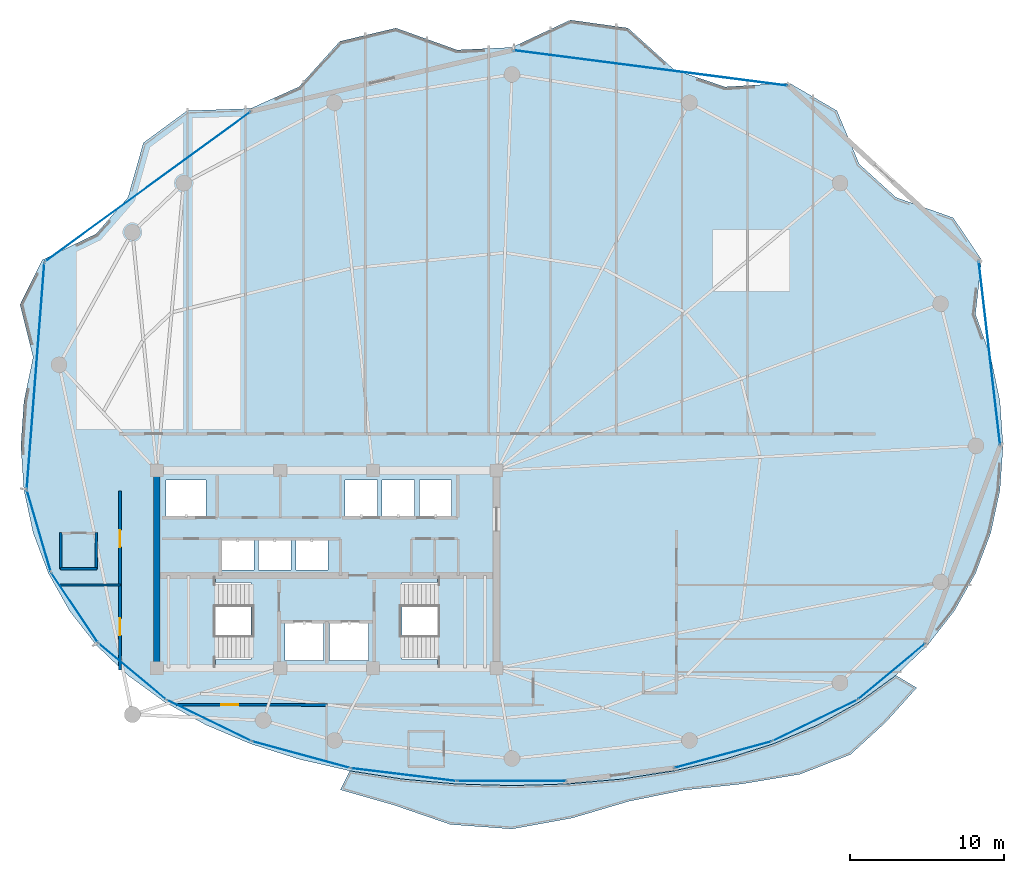
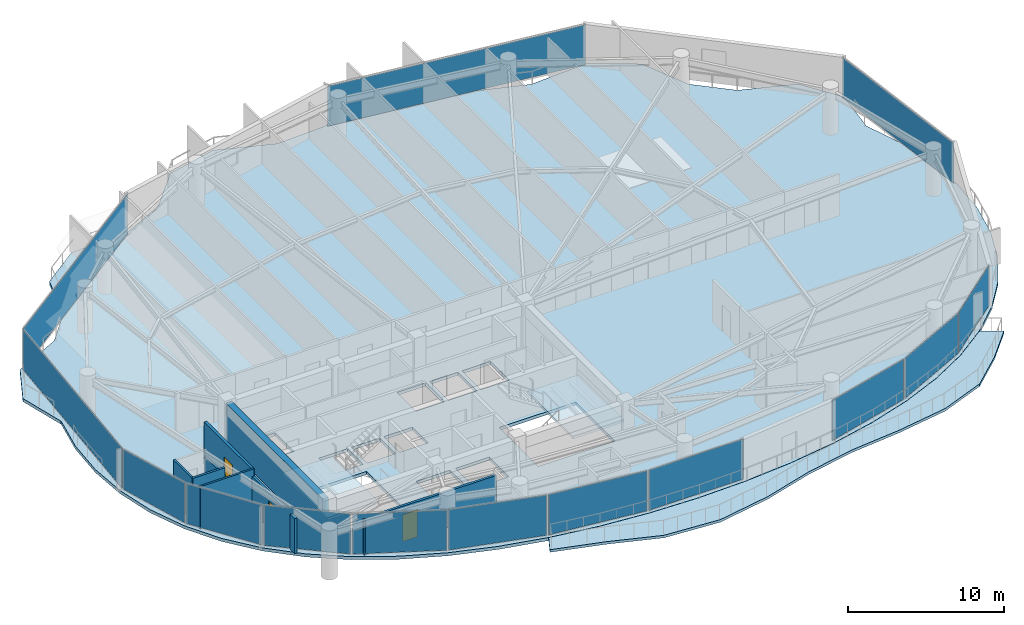
# One storey, part 24 of 31: 14 plates, 8 walls, 4 slabs, 3 doors, 3 openings, 16 elements without a shape of their own.
"""IFC4 building model written with IfcOpenShell, lengths in metres."""

import ifcopenshell
import ifcopenshell.guid

model = None  # the IFC model being written
_history = None  # IfcOwnerHistory: only IFC2X3 demands one
_inside = {}  # id of a spatial element -> (the spatial element, [elements in it])
_under = {}  # id of a project, library or spatial element -> (it, [spatial elements below it])
_declared = {}  # id of a project -> (the project, [libraries it declares])
_typed = {}  # id of a type object -> (the type object, [elements of that type])
_made_of = {}  # id of a material, layer set ... -> (it, [elements and type objects made of it])


def new_model(schema):
    """Start an empty IFC model of exactly this schema.

    Asked for "IFC4X3", IfcOpenShell would pick the latest addendum, in which some entities
    have other attributes; the version numbers below select the first issue.
    IFC2X3 requires an IfcOwnerHistory on every rooted entity: one is made here for all.
    """
    global model, _history
    if schema == "IFC4X3":
        model = ifcopenshell.file(schema_version=(4, 3, 0, 0))
    else:
        model = ifcopenshell.file(schema=schema)
    _inside.clear()
    _under.clear()
    _declared.clear()
    _typed.clear()
    _made_of.clear()
    _history = None
    if model.schema == "IFC2X3":
        org = make("IfcOrganization", Name="unknown")
        user = make(
            "IfcPersonAndOrganization",
            ThePerson=make("IfcPerson", FamilyName="unknown"),
            TheOrganization=org,
        )
        app = make(
            "IfcApplication",
            ApplicationDeveloper=org,
            Version="unknown",
            ApplicationFullName="unknown",
            ApplicationIdentifier="unknown",
        )
        _history = make(
            "IfcOwnerHistory",
            OwningUser=user,
            OwningApplication=app,
            ChangeAction="ADDED",
            CreationDate=0,
        )
    return model


def make(cls, **values):
    """One entity of the class cls with the attributes given. An attribute that is None is left unset."""
    return model.create_entity(
        cls, **{name: value for name, value in values.items() if value is not None}
    )


def rooted(cls, **values):
    """An entity with a GlobalId (a new one), such as an element, a storey or a relation."""
    return make(cls, GlobalId=ifcopenshell.guid.new(), OwnerHistory=_history, **values)


def si_unit(unit_type, name, prefix=None):
    """IfcSIUnit, for example si_unit("LENGTHUNIT", "METRE", prefix="MILLI")."""
    return make("IfcSIUnit", UnitType=unit_type, Prefix=prefix, Name=name)


def assignment(units):
    """IfcUnitAssignment: the units of a project."""
    return None if units is None else make("IfcUnitAssignment", Units=units)


def point(xyz):
    """IfcCartesianPoint."""
    return None if xyz is None else make("IfcCartesianPoint", Coordinates=xyz)


def direction(xyz):
    """IfcDirection."""
    return None if xyz is None else make("IfcDirection", DirectionRatios=xyz)


def frame(location, z_axis=None, x_axis=None):
    """IfcAxis2Placement3D, a coordinate frame: its origin and axes. An axis left out is left unset."""
    return make(
        "IfcAxis2Placement3D",
        Location=point(location),
        Axis=direction(z_axis),
        RefDirection=direction(x_axis),
    )


def frame_2d(location, x_axis=None):
    """IfcAxis2Placement2D, a coordinate frame in the plane: its origin and x axis."""
    return make(
        "IfcAxis2Placement2D", Location=point(location), RefDirection=direction(x_axis)
    )


def origin():
    """The frame at (0, 0, 0) with its axes left unset."""
    return frame((0.0, 0.0, 0.0))


def origin_2d():
    """The frame at (0, 0) in the plane with its x axis left unset."""
    return frame_2d((0.0, 0.0))


def place(relative_to, where):
    """IfcLocalPlacement: puts the frame where relative to a parent placement (None: the world)."""
    return make(
        "IfcLocalPlacement", PlacementRelTo=relative_to, RelativePlacement=where
    )


def context(
    kind, dimensions, precision=None, world=None, true_north=None, identifier=None
):
    """IfcGeometricRepresentationContext, for example the 3D "Model" context."""
    return make(
        "IfcGeometricRepresentationContext",
        ContextIdentifier=identifier,
        ContextType=kind,
        CoordinateSpaceDimension=dimensions,
        Precision=precision,
        WorldCoordinateSystem=world,
        TrueNorth=true_north,
    )


def subcontext(parent, identifier, kind, view, scale=None):
    """IfcGeometricRepresentationSubContext, for example "Body" below "Model"."""
    return make(
        "IfcGeometricRepresentationSubContext",
        ContextIdentifier=identifier,
        ContextType=kind,
        ParentContext=parent,
        TargetScale=scale,
        TargetView=view,
    )


def project(units=None, contexts=None):
    """IfcProject with its units and contexts."""
    return rooted(
        "IfcProject",
        Name="project",
        RepresentationContexts=contexts,
        UnitsInContext=assignment(units),
    )


def spatial(cls, under=None, at=None, **own):
    """A site, building, storey or space (cls), placed at a placement, below another one or the project."""
    s = rooted(cls, ObjectPlacement=at, **own)
    if under is not None:
        _under.setdefault(under.id(), (under, []))[1].append(s)
    return s


def polyline(points):
    """IfcPolyline through the points."""
    return make("IfcPolyline", Points=[point(p) for p in points])


def profile(cls, at=None, kind="AREA", **sizes):
    """A parametric profile (cls). Its sizes go by their IFC names, for example OverallWidth=200.0."""
    return make(cls, ProfileType=kind, Position=at, **sizes)


def rectangle(**sizes):
    """IfcRectangleProfileDef."""
    return profile("IfcRectangleProfileDef", **sizes)


def outline(outer, holes=None, kind="AREA"):
    """IfcArbitraryClosedProfileDef: a profile drawn as a closed curve; with holes, ...WithVoids."""
    if holes is None:
        return make("IfcArbitraryClosedProfileDef", ProfileType=kind, OuterCurve=outer)
    return make(
        "IfcArbitraryProfileDefWithVoids",
        ProfileType=kind,
        OuterCurve=outer,
        InnerCurves=holes,
    )


def extrude(swept, where, along, depth):
    """IfcExtrudedAreaSolid: the profile swept, set in the frame where, extruded along a direction by depth."""
    return make(
        "IfcExtrudedAreaSolid",
        SweptArea=swept,
        Position=where,
        ExtrudedDirection=direction(along),
        Depth=depth,
    )


def shape(context_of_items, identifier, shape_type, items):
    """IfcShapeRepresentation: the items that make up one representation, for example the "Body"."""
    return make(
        "IfcShapeRepresentation",
        ContextOfItems=context_of_items,
        RepresentationIdentifier=identifier,
        RepresentationType=shape_type,
        Items=items,
    )


def material(Name=None, Category=None):
    """IfcMaterial."""
    return make("IfcMaterial", Name=Name, Category=Category)


def layer(
    of_material, thickness, ventilated=None, Name=None, Category=None, Priority=None
):
    """IfcMaterialLayer: one layer of a wall or slab, of a material (None: an air gap)."""
    return make(
        "IfcMaterialLayer",
        Material=of_material,
        LayerThickness=thickness,
        IsVentilated=ventilated,
        Name=Name,
        Category=Category,
        Priority=Priority,
    )


def layer_set(layers, Name=None):
    """IfcMaterialLayerSet."""
    return make("IfcMaterialLayerSet", MaterialLayers=layers, LayerSetName=Name)


def made_of(thing, what):
    """Note that an element or type object is made of a material, layer set ...; save() writes the relation."""
    if what is not None:
        _made_of.setdefault(what.id(), (what, []))[1].append(thing)
    return thing


def type_object(cls, material=None, **own):
    """A type object (cls), such as IfcWallType, which elements share."""
    return made_of(rooted(cls, **own), material)


def element(
    cls,
    number,
    at=None,
    inside=None,
    cuts=None,
    type_object=None,
    material=None,
    context=None,
    identifier="Body",
    shape_type=None,
    held_by="IfcProductDefinitionShape",
    body=None,
    shapes=None,
    **own,
):
    """One element of the class cls, such as IfcWall. Its Tag is "e" and its number.

    at: its placement. inside: the storey or other place that contains it. cuts: it is an
    opening in that element (IfcRelVoidsElement). A single representation is given by context,
    identifier, shape_type and body (its items); several are given by shapes. held_by: the class
    of the entity that holds the representations. save() writes the other relations.
    """
    e = rooted(cls, Tag="e%d" % number, ObjectPlacement=at, **own)
    if body is not None:
        shapes = [shape(context, identifier, shape_type, body)]
    if shapes is not None:
        e.Representation = make(held_by, Representations=shapes)
    if inside is not None:
        _inside.setdefault(inside.id(), (inside, []))[1].append(e)
    if cuts is not None:
        rooted(
            "IfcRelVoidsElement", RelatingBuildingElement=cuts, RelatedOpeningElement=e
        )
    if type_object is not None:
        _typed.setdefault(type_object.id(), (type_object, []))[1].append(e)
    return made_of(e, material)


def fill(opening, filler):
    """IfcRelFillsElement: the door or window that sits in an opening."""
    return rooted(
        "IfcRelFillsElement",
        RelatingOpeningElement=opening,
        RelatedBuildingElement=filler,
    )


def aggregate(whole, parts):
    """IfcRelAggregates: a whole, such as a stair, and the parts it consists of."""
    return rooted("IfcRelAggregates", RelatingObject=whole, RelatedObjects=parts)


def save(model, path):
    """Write the relations noted so far, then the file.

    IfcRelAggregates (storeys below a building ...), IfcRelContainedInSpatialStructure (elements
    in a storey), IfcRelDefinesByType, IfcRelAssociatesMaterial and IfcRelDeclares: one each for
    every whole, place, type object, material and project.
    """
    for whole, parts in _under.values():
        aggregate(whole, parts)
    for where, things in _inside.values():
        rooted(
            "IfcRelContainedInSpatialStructure",
            RelatedElements=things,
            RelatingStructure=where,
        )
    for kind, things in _typed.values():
        rooted("IfcRelDefinesByType", RelatedObjects=things, RelatingType=kind)
    for what, things in _made_of.values():
        rooted("IfcRelAssociatesMaterial", RelatedObjects=things, RelatingMaterial=what)
    for by, libraries in _declared.values():
        rooted("IfcRelDeclares", RelatingContext=by, RelatedDefinitions=libraries)
    model.write(path)


model = new_model("IFC4")

# Units and contexts
model_context = context("Model", 3, precision=1e-05, world=origin(), true_north=direction((0.0, 1.0)))
body_context = subcontext(model_context, "Body", "Model", "MODEL_VIEW")
ifc_project = project(units=[si_unit("LENGTHUNIT", "METRE"), si_unit("AREAUNIT", "SQUARE_METRE"), si_unit("VOLUMEUNIT", "CUBIC_METRE"), si_unit("PLANEANGLEUNIT", "RADIAN"), si_unit("MASSUNIT", "GRAM", prefix="KILO")], contexts=[model_context])

# Site, building, storey
site_placement = place(None, origin())
site = spatial("IfcSite", under=ifc_project, at=site_placement, CompositionType="ELEMENT")
building_placement = place(site_placement, origin())
building = spatial("IfcBuilding", under=site, at=building_placement, Name="Kazevale Care Tower and Concert Hall", CompositionType="ELEMENT")
storey_placement = place(building_placement, frame((0.0, 0.0, 187.199951171875)))
storey = spatial("IfcBuildingStorey", under=building, at=storey_placement, Name="L49", CompositionType="ELEMENT", Elevation=187.199951171875)

# Curtain wall, plate
ifc_material_1 = material(Name="Aluminium 6063-T6 and Low-E Glass", Category="aluminium")
ifc_layer_1 = layer(ifc_material_1, 0.179931640625)
ifc_layer_set_1 = layer_set([ifc_layer_1], Name="Aluminium 6063-T6 and Low-E Glass")
curtain_wall_type_1 = type_object("IfcCurtainWallType", Name="Waist & Upper Residential Curtain Wall CW-4", PredefinedType="NOTDEFINED", material=ifc_layer_set_1)
curtain_wall_1_placement = place(storey_placement, origin())
curtain_wall_1 = element("IfcCurtainWall", 1, at=curtain_wall_1_placement, inside=storey, type_object=curtain_wall_type_1, Name="cw:L49:f11", PredefinedType="NOTDEFINED")
ifc_material_2 = material(Name="Low-E Laminated Glass", Category="glass")
ifc_layer_2 = layer(ifc_material_2, 0.030029296875)
ifc_layer_set_2 = layer_set([ifc_layer_2], Name="Low-E Laminated Glass")
plate_type_1 = type_object("IfcPlateType", Name="CW-4 Low-E Glazing Panel 30mm", PredefinedType="CURTAIN_PANEL", material=ifc_layer_set_2)
plate_1_placement = place(storey_placement, frame((16.677978515625, 27.525390625, 0.080078125), z_axis=(0.0, 0.0, 1.0), x_axis=(-0.554616540853, 0.832106058512, 0.0)))
plate_1 = element("IfcPlate", 2, at=plate_1_placement, type_object=plate_type_1, Name="CW-4 panel 1.1", PredefinedType="CURTAIN_PANEL", context=body_context, shape_type="SweptSolid", body=[
    extrude(rectangle(XDim=5.357421875, YDim=0.030029296875, at=origin_2d()), origin(), (0.0, 0.0, 1.0), 3.1201171875),
])
aggregate(curtain_wall_1, [plate_1])

curtain_wall_2_placement = place(storey_placement, origin())
curtain_wall_2 = element("IfcCurtainWall", 3, at=curtain_wall_2_placement, inside=storey, type_object=curtain_wall_type_1, Name="cw:L49:f12", PredefinedType="NOTDEFINED")
plate_2_placement = place(storey_placement, frame((14.363525390625, 32.489013671875, 0.080078125), z_axis=(0.0, 0.0, 1.0), x_axis=(-0.282098184457, 0.959385539982, 0.0)))
plate_2 = element("IfcPlate", 4, at=plate_2_placement, type_object=plate_type_1, Name="CW-4 panel 1.1", PredefinedType="CURTAIN_PANEL", context=body_context, shape_type="SweptSolid", body=[
    extrude(rectangle(XDim=5.40185546875, YDim=0.030029296875, at=origin_2d()), origin(), (0.0, 0.0, 1.0), 3.1201171875),
])
aggregate(curtain_wall_2, [plate_2])

curtain_wall_3_placement = place(storey_placement, origin())
curtain_wall_3 = element("IfcCurtainWall", 5, at=curtain_wall_3_placement, inside=storey, type_object=curtain_wall_type_1, Name="cw:L49:f13", PredefinedType="NOTDEFINED")
plate_3_placement = place(storey_placement, frame((14.152587890625, 42.531005859375, 0.080078125), z_axis=(0.0, 0.0, 1.0), x_axis=(0.077539106325, 0.996989311372, 0.0)))
plate_3 = element("IfcPlate", 6, at=plate_3_placement, type_object=plate_type_1, Name="CW-4 panel 1.1", PredefinedType="CURTAIN_PANEL", context=body_context, shape_type="SweptSolid", body=[
    extrude(rectangle(XDim=14.632568359375, YDim=0.030029296875, at=origin_2d()), origin(), (0.0, 0.0, 1.0), 3.1201171875),
])
aggregate(curtain_wall_3, [plate_3])

curtain_wall_4_placement = place(storey_placement, origin())
curtain_wall_4 = element("IfcCurtainWall", 7, at=curtain_wall_4_placement, inside=storey, type_object=curtain_wall_type_1, Name="cw:L49:f14", PredefinedType="NOTDEFINED")
plate_4_placement = place(storey_placement, frame((21.424560546875, 54.785888671875, 0.080078125), z_axis=(0.0, 0.0, 1.0), x_axis=(0.808198348937, 0.588910374145, 0.0)))
plate_4 = element("IfcPlate", 8, at=plate_4_placement, type_object=plate_type_1, Name="CW-4 panel 1.1", PredefinedType="CURTAIN_PANEL", context=body_context, shape_type="SweptSolid", body=[
    extrude(rectangle(XDim=16.416259765625, YDim=0.030029296875, at=origin_2d()), origin(), (0.0, 0.0, 1.0), 3.1201171875),
])
aggregate(curtain_wall_4, [plate_4])

curtain_wall_5_placement = place(storey_placement, origin())
curtain_wall_5 = element("IfcCurtainWall", 9, at=curtain_wall_5_placement, inside=storey, type_object=curtain_wall_type_1, Name="cw:L49:f16", PredefinedType="NOTDEFINED")
plate_5_placement = place(storey_placement, frame((53.978515625, 62.468017578125, 0.080078125), z_axis=(0.0, 0.0, 1.0), x_axis=(0.991761497713, -0.128098132904, 0.0)))
plate_5 = element("IfcPlate", 10, at=plate_5_placement, type_object=plate_type_1, Name="CW-4 panel 1.1", PredefinedType="CURTAIN_PANEL", context=body_context, shape_type="SweptSolid", body=[
    extrude(rectangle(XDim=17.857421875, YDim=0.030029296875, at=origin_2d()), origin(), (0.0, 0.0, 1.0), 3.1201171875),
])
aggregate(curtain_wall_5, [plate_5])

curtain_wall_6_placement = place(storey_placement, origin())
curtain_wall_6 = element("IfcCurtainWall", 11, at=curtain_wall_6_placement, inside=storey, type_object=curtain_wall_type_1, Name="cw:L49:f18", PredefinedType="NOTDEFINED")
plate_6_placement = place(storey_placement, frame((75.92041015625, 43.99755859375, 0.080078125), z_axis=(0.0, 0.0, 1.0), x_axis=(0.115846659989, -0.993267109779, 0.0)))
plate_6 = element("IfcPlate", 12, at=plate_6_placement, type_object=plate_type_1, Name="CW-4 panel 1.1", PredefinedType="CURTAIN_PANEL", context=body_context, shape_type="SweptSolid", body=[
    extrude(rectangle(XDim=11.916259765625, YDim=0.030029296875, at=origin_2d()), origin(), (0.0, 0.0, 1.0), 3.1201171875),
])
aggregate(curtain_wall_6, [plate_6])

ifc_layer_3 = layer(ifc_material_1, 0.179931640625)
ifc_layer_set_3 = layer_set([ifc_layer_3], Name="Aluminium 6063-T6 and Low-E Glass")
curtain_wall_type_2 = type_object("IfcCurtainWallType", Name="Sheltered Concave Balcony Curtain Wall CW-5", PredefinedType="NOTDEFINED", material=ifc_layer_set_3)
curtain_wall_7_placement = place(storey_placement, origin())
curtain_wall_7 = element("IfcCurtainWall", 13, at=curtain_wall_7_placement, inside=storey, type_object=curtain_wall_type_2, Name="cw:L49:f02", PredefinedType="NOTDEFINED")
ifc_layer_4 = layer(ifc_material_2, 0.02587890625)
ifc_layer_set_4 = layer_set([ifc_layer_4], Name="Low-E Laminated Glass")
plate_type_2 = type_object("IfcPlateType", Name="CW-5 Low-E Glazing Panel 26mm", PredefinedType="CURTAIN_PANEL", material=ifc_layer_set_4)
plate_7_placement = place(storey_placement, frame((69.590576171875, 23.396484375, 0.0751953125), z_axis=(0.0, 0.0, 1.0), x_axis=(-0.768407210062, -0.639961217204, 0.0)))
plate_7 = element("IfcPlate", 14, at=plate_7_placement, type_object=plate_type_2, Name="CW-5 panel 1.1", PredefinedType="CURTAIN_PANEL", context=body_context, shape_type="SweptSolid", body=[
    extrude(rectangle(XDim=5.580078125, YDim=0.02587890625, at=origin_2d()), origin(), (0.0, 0.0, 1.0), 3.1298828125),
])
aggregate(curtain_wall_7, [plate_7])

curtain_wall_8_placement = place(storey_placement, origin())
curtain_wall_8 = element("IfcCurtainWall", 15, at=curtain_wall_8_placement, inside=storey, type_object=curtain_wall_type_2, Name="cw:L49:f03", PredefinedType="NOTDEFINED")
plate_8_placement = place(storey_placement, frame((64.62255859375, 20.218017578125, 0.0751953125), z_axis=(0.0, 0.0, 1.0), x_axis=(-0.89934566163, -0.437238357087, 0.0)))
plate_8 = element("IfcPlate", 16, at=plate_8_placement, type_object=plate_type_2, Name="CW-5 panel 1.1", PredefinedType="CURTAIN_PANEL", context=body_context, shape_type="SweptSolid", body=[
    extrude(rectangle(XDim=6.002197265625, YDim=0.02587890625, at=origin_2d()), origin(), (0.0, 0.0, 1.0), 3.1298828125),
])
aggregate(curtain_wall_8, [plate_8])

curtain_wall_9_placement = place(storey_placement, origin())
curtain_wall_9 = element("IfcCurtainWall", 17, at=curtain_wall_9_placement, inside=storey, type_object=curtain_wall_type_2, Name="cw:L49:f04", PredefinedType="NOTDEFINED")
plate_9_placement = place(storey_placement, frame((58.66259765625, 18.0029296875, 0.0751953125), z_axis=(0.0, 0.0, 1.0), x_axis=(-0.964836991167, -0.262848968947, 0.0)))
plate_9 = element("IfcPlate", 18, at=plate_9_placement, type_object=plate_type_2, Name="CW-5 panel 1.1", PredefinedType="CURTAIN_PANEL", context=body_context, shape_type="SweptSolid", body=[
    extrude(rectangle(XDim=6.4697265625, YDim=0.02587890625, at=origin_2d()), origin(), (0.0, 0.0, 1.0), 3.1298828125),
])
aggregate(curtain_wall_9, [plate_9])

curtain_wall_10_placement = place(storey_placement, origin())
curtain_wall_10 = element("IfcCurtainWall", 19, at=curtain_wall_10_placement, inside=storey, type_object=curtain_wall_type_2, Name="cw:L49:f06", PredefinedType="NOTDEFINED")
plate_10_placement = place(storey_placement, frame((45.0, 16.284912109375, 0.0751953125), z_axis=(0.0, 0.0, 1.0), x_axis=(-1.0, 0.0, 0.0)))
plate_10 = element("IfcPlate", 20, at=plate_10_placement, type_object=plate_type_2, Name="CW-5 panel 1.1", PredefinedType="CURTAIN_PANEL", context=body_context, shape_type="SweptSolid", body=[
    extrude(rectangle(XDim=6.949951171875, YDim=0.02587890625, at=origin_2d()), origin(), (0.0, 0.0, 1.0), 3.1298828125),
])
aggregate(curtain_wall_10, [plate_10])

curtain_wall_11_placement = place(storey_placement, origin())
curtain_wall_11 = element("IfcCurtainWall", 21, at=curtain_wall_11_placement, inside=storey, type_object=curtain_wall_type_2, Name="cw:L49:f07", PredefinedType="NOTDEFINED")
plate_11_placement = place(storey_placement, frame((37.990478515625, 16.708984375, 0.0751953125), z_axis=(0.0, 0.0, 1.0), x_axis=(-0.992572961225, 0.121650797964, 0.0)))
plate_11 = element("IfcPlate", 22, at=plate_11_placement, type_object=plate_type_2, Name="CW-5 panel 1.1", PredefinedType="CURTAIN_PANEL", context=body_context, shape_type="SweptSolid", body=[
    extrude(rectangle(XDim=6.82080078125, YDim=0.02587890625, at=origin_2d()), origin(), (0.0, 0.0, 1.0), 3.1298828125),
])
aggregate(curtain_wall_11, [plate_11])

curtain_wall_12_placement = place(storey_placement, origin())
curtain_wall_12 = element("IfcCurtainWall", 23, at=curtain_wall_12_placement, inside=storey, type_object=curtain_wall_type_2, Name="cw:L49:f08", PredefinedType="NOTDEFINED")
plate_12_placement = place(storey_placement, frame((31.33740234375, 18.0029296875, 0.0751953125), z_axis=(0.0, 0.0, 1.0), x_axis=(-0.964836991167, 0.262848968947, 0.0)))
plate_12 = element("IfcPlate", 24, at=plate_12_placement, type_object=plate_type_2, Name="CW-5 panel 1.1", PredefinedType="CURTAIN_PANEL", context=body_context, shape_type="SweptSolid", body=[
    extrude(rectangle(XDim=6.4697265625, YDim=0.02587890625, at=origin_2d()), origin(), (0.0, 0.0, 1.0), 3.1298828125),
])
aggregate(curtain_wall_12, [plate_12])

curtain_wall_13_placement = place(storey_placement, origin())
curtain_wall_13 = element("IfcCurtainWall", 25, at=curtain_wall_13_placement, inside=storey, type_object=curtain_wall_type_2, Name="cw:L49:f09", PredefinedType="NOTDEFINED")
plate_13_placement = place(storey_placement, frame((25.37744140625, 20.218017578125, 0.0751953125), z_axis=(0.0, 0.0, 1.0), x_axis=(-0.89934566163, 0.437238357087, 0.0)))
plate_13 = element("IfcPlate", 26, at=plate_13_placement, type_object=plate_type_2, Name="CW-5 panel 1.1", PredefinedType="CURTAIN_PANEL", context=body_context, shape_type="SweptSolid", body=[
    extrude(rectangle(XDim=6.002197265625, YDim=0.02587890625, at=origin_2d()), origin(), (0.0, 0.0, 1.0), 3.1298828125),
])
aggregate(curtain_wall_13, [plate_13])

curtain_wall_14_placement = place(storey_placement, origin())
curtain_wall_14 = element("IfcCurtainWall", 27, at=curtain_wall_14_placement, inside=storey, type_object=curtain_wall_type_2, Name="cw:L49:f10", PredefinedType="NOTDEFINED")
plate_14_placement = place(storey_placement, frame((20.409423828125, 23.396484375, 0.0751953125), z_axis=(0.0, 0.0, 1.0), x_axis=(-0.768407210062, 0.639961217204, 0.0)))
plate_14 = element("IfcPlate", 28, at=plate_14_placement, type_object=plate_type_2, Name="CW-5 panel 1.1", PredefinedType="CURTAIN_PANEL", context=body_context, shape_type="SweptSolid", body=[
    extrude(rectangle(XDim=5.580078125, YDim=0.02587890625, at=origin_2d()), origin(), (0.0, 0.0, 1.0), 3.1298828125),
])
aggregate(curtain_wall_14, [plate_14])

# Slab
ifc_material_3 = material(Name="Concrete C40", Category="concrete")
ifc_layer_5 = layer(ifc_material_3, 0.199951171875)
ifc_layer_set_5 = layer_set([ifc_layer_5], Name="Concrete C40")
slab_type_1 = type_object("IfcSlabType", Name="Sinusoidal Concave Balcony Slab 200", PredefinedType="USERDEFINED", material=ifc_layer_set_5)
slab_1_placement = place(storey_placement, frame((0.0, 0.0, -0.199951171875)))
element("IfcSlab", 29, at=slab_1_placement, inside=storey, type_object=slab_type_1, Name="slab:L49:bal", ObjectType="BALCONY", PredefinedType="USERDEFINED", context=body_context, shape_type="SweptSolid", body=[
    extrude(outline(polyline([(71.2080078125, 22.332275390625), (69.225830078125, 20.127197265625), (66.927734375, 18.01953125), (63.6474609375, 16.731689453125), (59.890869140625, 16.10595703125), (56.126220703125, 15.70751953125), (52.550048828125, 14.9775390625), (48.918212890625, 13.905029296875), (45.0, 13.19091796875), (41.012939453125, 13.482421875), (37.37060546875, 14.735107421875), (33.886962890625, 15.7333984375), (34.494873046875, 16.951416015625), (34.49609375, 16.951171875), (37.923095703125, 16.417236328125), (41.439208984375, 16.10009765625), (45.0, 15.9951171875), (48.560791015625, 16.10009765625), (52.076904296875, 16.417236328125), (55.50390625, 16.951171875), (58.798828125, 17.708740234375), (61.92041015625, 18.69873046875), (64.8291015625, 19.92919921875), (67.48876953125, 21.406494140625), (69.865478515625, 23.133056640625), (69.86669921875, 23.13427734375), (71.2080078125, 22.332275390625)])), origin(), (0.0, 0.0, 1.0), 0.199951171875),
])

# Stair, slab
stair_type = type_object("IfcStairType", Name="Exit Stair Assembly ST1-Z3", PredefinedType="HALF_TURN_STAIR", material=ifc_material_3)
stair_1_placement = place(storey_placement, origin())
stair_1 = element("IfcStair", 30, at=stair_1_placement, inside=storey, type_object=stair_type, Name="stair:L49:ST1", PredefinedType="HALF_TURN_STAIR")
ifc_layer_6 = layer(ifc_material_3, 0.199951171875)
ifc_layer_set_6 = layer_set([ifc_layer_6], Name="Concrete C40")
slab_type_2 = type_object("IfcSlabType", Name="Stair Half-Landing Slab ST1-Z3", PredefinedType="LANDING", material=ifc_layer_set_6)
slab_2_placement = place(storey_placement, frame((0.0, 0.0, 1.60009765625)))
slab_2 = element("IfcSlab", 31, at=slab_2_placement, type_object=slab_type_2, Name="ST1-Z3 landing 1", PredefinedType="LANDING", context=body_context, shape_type="SweptSolid", body=[
    extrude(outline(polyline([(22.050048828125, 23.699951171875), (25.81005859375, 23.699951171875), (25.81005859375, 29.5), (22.050048828125, 29.5), (22.050048828125, 23.699951171875)])), origin(), (0.0, 0.0, 1.0), 0.199951171875),
])
aggregate(stair_1, [slab_2])

stair_2_placement = place(storey_placement, origin())
stair_2 = element("IfcStair", 32, at=stair_2_placement, inside=storey, type_object=stair_type, Name="stair:L49:ST2", PredefinedType="HALF_TURN_STAIR")
slab_3_placement = place(storey_placement, frame((0.0, 0.0, 1.60009765625)))
slab_3 = element("IfcSlab", 33, at=slab_3_placement, type_object=slab_type_2, Name="ST1-Z3 landing 1", PredefinedType="LANDING", context=body_context, shape_type="SweptSolid", body=[
    extrude(outline(polyline([(40.18994140625, 23.699951171875), (43.949951171875, 23.699951171875), (43.949951171875, 29.5), (40.18994140625, 29.5), (40.18994140625, 23.699951171875)])), origin(), (0.0, 0.0, 1.0), 0.199951171875),
])
aggregate(stair_2, [slab_3])

# Slab
ifc_layer_7 = layer(ifc_material_3, 0.239990234375)
ifc_layer_set_7 = layer_set([ifc_layer_7], Name="Concrete C40")
slab_type_3 = type_object("IfcSlabType", Name="Tower Typical Floor Slab 240", PredefinedType="FLOOR", material=ifc_layer_set_7)
slab_4_placement = place(storey_placement, frame((0.0, 0.0, -0.239990234375)))
element("IfcSlab", 34, at=slab_4_placement, inside=storey, type_object=slab_type_3, Name="slab:L49:tw:1", PredefinedType="FLOOR", context=body_context, shape_type="SweptSolid", body=[
    extrude(outline(polyline([(76.800048828125, 38.0), (76.60009765625, 40.888671875), (76.002685546875, 43.740966796875), (75.015380859375, 46.521240234375), (75.40771484375, 50.040283203125), (73.576904296875, 52.763916015625), (69.8623046875, 54.0859375), (67.486083984375, 56.243408203125), (66.042724609375, 59.69580078125), (62.9560546875, 61.49658203125), (58.797607421875, 61.2451171875), (55.5029296875, 62.352294921875), (52.510009765625, 65.05419921875), (48.77880859375, 65.575439453125), (45.0, 63.800048828125), (41.439453125, 63.6376953125), (37.489990234375, 65.05419921875), (33.85302734375, 64.19287109375), (31.202392578125, 61.2451171875), (28.081298828125, 59.845458984375), (23.957275390625, 59.69580078125), (21.135009765625, 57.622314453125), (20.1376953125, 54.0859375), (18.07421875, 51.726318359375), (14.59228515625, 50.040283203125), (13.143798828125, 47.165283203125), (13.997314453125, 43.740966796875), (13.39990234375, 40.888671875), (13.199951171875, 38.0), (13.39990234375, 35.131103515625), (13.997314453125, 32.362060546875), (14.984619140625, 29.744873046875), (16.34912109375, 27.318115234375), (18.07421875, 25.109130859375), (20.1376953125, 23.13671875), (22.513916015625, 21.41064453125), (25.173095703125, 19.933837890625), (28.081298828125, 18.70361328125), (31.202392578125, 17.713623046875), (34.4970703125, 16.9560546875), (37.923828125, 16.422119140625), (41.439453125, 16.10498046875), (45.0, 16.0), (48.560546875, 16.10498046875), (52.076171875, 16.422119140625), (55.5029296875, 16.9560546875), (58.797607421875, 17.713623046875), (61.918701171875, 18.70361328125), (64.826904296875, 19.933837890625), (67.486083984375, 21.41064453125), (69.8623046875, 23.13671875), (71.92578125, 25.109130859375), (73.65087890625, 27.318115234375), (75.015380859375, 29.744873046875), (76.002685546875, 32.362060546875), (76.60009765625, 35.131103515625), (76.800048828125, 38.0)]), holes=[polyline([(22.449951171875, 24.14990234375), (28.110107421875, 24.14990234375), (28.110107421875, 29.14990234375), (22.449951171875, 29.14990234375), (22.449951171875, 24.14990234375)]), polyline([(37.889892578125, 24.14990234375), (43.550048828125, 24.14990234375), (43.550048828125, 29.14990234375), (37.889892578125, 29.14990234375), (37.889892578125, 24.14990234375)]), polyline([(30.300048828125, 24.10009765625), (32.800048828125, 24.10009765625), (32.800048828125, 26.60009765625), (30.300048828125, 26.60009765625), (30.300048828125, 24.10009765625)]), polyline([(33.199951171875, 24.10009765625), (35.699951171875, 24.10009765625), (35.699951171875, 26.60009765625), (33.199951171875, 26.60009765625), (33.199951171875, 24.10009765625)]), polyline([(22.60009765625, 33.39990234375), (25.199951171875, 33.39990234375), (25.199951171875, 35.800048828125), (22.60009765625, 35.800048828125), (22.60009765625, 33.39990234375)]), polyline([(34.199951171875, 33.39990234375), (36.300048828125, 33.39990234375), (36.300048828125, 35.800048828125), (34.199951171875, 35.800048828125), (34.199951171875, 33.39990234375)]), polyline([(36.60009765625, 33.39990234375), (38.699951171875, 33.39990234375), (38.699951171875, 35.800048828125), (36.60009765625, 35.800048828125), (36.60009765625, 33.39990234375)]), polyline([(39.0, 33.39990234375), (41.10009765625, 33.39990234375), (41.10009765625, 35.800048828125), (39.0, 35.800048828125), (39.0, 33.39990234375)]), polyline([(26.199951171875, 29.949951171875), (28.300048828125, 29.949951171875), (28.300048828125, 31.949951171875), (26.199951171875, 31.949951171875), (26.199951171875, 29.949951171875)]), polyline([(28.60009765625, 29.949951171875), (30.699951171875, 29.949951171875), (30.699951171875, 31.949951171875), (28.60009765625, 31.949951171875), (28.60009765625, 29.949951171875)]), polyline([(31.0, 29.949951171875), (33.10009765625, 29.949951171875), (33.10009765625, 31.949951171875), (31.0, 31.949951171875), (31.0, 29.949951171875)])]), origin(), (0.0, 0.0, 1.0), 0.239990234375),
])

# Walls
ifc_material_4 = material(Name="Acoustic Gypsum on Steel Stud", Category="steel")
ifc_layer_8 = layer(ifc_material_4, 0.139892578125)
ifc_layer_set_8 = layer_set([ifc_layer_8], Name="Acoustic Gypsum on Steel Stud")
wall_type_1 = type_object("IfcWallType", Name="Acoustic Care & Suite Partition 140", PredefinedType="PARTITIONING", material=ifc_layer_set_8)
wall_1_placement = place(storey_placement, frame((15.705078125, 29.0, 0.0), z_axis=(0.0, 0.0, 1.0), x_axis=(1.0, 0.0, 0.0)))
element("IfcWall", 35, at=wall_1_placement, inside=storey, type_object=wall_type_1, Name="wall:L49:auto_040", PredefinedType="PARTITIONING", context=body_context, shape_type="SweptSolid", body=[
    extrude(rectangle(XDim=3.949951171875, YDim=0.139892578125, at=frame_2d((1.97509765625, 0.0))), origin(), (0.0, 0.0, 1.0), 3.280029296875),
])
ifc_material_5 = material(Name="Concrete C50", Category="concrete")
ifc_layer_9 = layer(ifc_material_5, 0.449951171875)
ifc_layer_set_9 = layer_set([ifc_layer_9], Name="Concrete C50")
wall_type_2 = type_object("IfcWallType", Name="Core Shear Wall 450 C50", PredefinedType="SHEAR", material=ifc_layer_set_9)
wall_2_placement = place(storey_placement, frame((22.0, 23.824951171875, 0.0), z_axis=(0.0, 0.0, 1.0), x_axis=(0.0, 1.0, 0.0)))
element("IfcWall", 36, at=wall_2_placement, inside=storey, type_object=wall_type_2, Name="wall:L49:core:W", PredefinedType="SHEAR", context=body_context, shape_type="SweptSolid", body=[
    extrude(rectangle(XDim=12.35009765625, YDim=0.449951171875, at=frame_2d((6.175048828125, 0.0))), origin(), (0.0, 0.0, 1.0), 3.280029296875),
])

# Wall, opening, door
ifc_material_6 = material(Name="Concrete C40 and Acoustic Gypsum", Category="concrete")
ifc_layer_10 = layer(ifc_material_6, 0.179931640625)
ifc_layer_set_10 = layer_set([ifc_layer_10], Name="Concrete C40 and Acoustic Gypsum")
wall_type_3 = type_object("IfcWallType", Name="Fire-Rated Corridor & Party Wall 180", PredefinedType="PARTITIONING", material=ifc_layer_set_10)
wall_3_placement = place(storey_placement, frame((33.06494140625, 21.22509765625, 0.0), z_axis=(0.0, 0.0, 1.0), x_axis=(-0.99999847448, 0.001746722226, 0.0)))
wall_3 = element("IfcWall", 37, at=wall_3_placement, inside=storey, type_object=wall_type_3, Name="wall:L49:auto_020", PredefinedType="PARTITIONING", context=body_context, shape_type="SweptSolid", body=[
    extrude(rectangle(XDim=9.783935546875, YDim=0.179931640625, at=frame_2d((4.89208984375, 0.0))), origin(), (0.0, 0.0, 1.0), 2.81005859375),
])
opening_1_placement = place(wall_3_placement, frame((5.779052734375, 0.0, 0.0)))
opening_1 = element("IfcOpeningElement", 38, at=opening_1_placement, cuts=wall_3, Name="Opening ID-1100", PredefinedType="OPENING", context=body_context, shape_type="SweptSolid", body=[
    extrude(rectangle(XDim=1.10009765625, YDim=2.10009765625, at=frame_2d((0.550048828125, 1.050048828125))), frame((0.0, 0.099853515625, 0.0), z_axis=(0.0, -1.0, 0.0), x_axis=(1.0, 0.0, 0.0)), (0.0, 0.0, 1.0), 0.199951171875),
])
ifc_material_7 = material(Name="Oak Timber Fire Leaf", Category="wood")
door_type = type_object("IfcDoorType", Name="Care Bedroom Accessible Door 1100x2100", OperationType="NOTDEFINED", PredefinedType="DOOR", material=ifc_material_7)
door_1_placement = place(opening_1_placement, origin())
door_1 = element("IfcDoor", 39, at=door_1_placement, inside=storey, type_object=door_type, Name="door:L49:ad_020", OperationType="SINGLE_SWING_LEFT", OverallHeight=2.10009765625, OverallWidth=1.10009765625, PredefinedType="DOOR", context=body_context, shape_type="SweptSolid", body=[
    extrude(rectangle(XDim=1.10009765625, YDim=2.10009765625, at=frame_2d((0.550048828125, 1.050048828125))), frame((0.0, 0.02490234375, 0.0), z_axis=(0.0, -1.0, 0.0), x_axis=(1.0, 0.0, 0.0)), (0.0, 0.0, 1.0), 0.050048828125),
])
fill(opening_1, door_1)

wall_4_placement = place(storey_placement, frame((19.625, 23.49609375, 0.0), z_axis=(0.0, 0.0, 1.0), x_axis=(0.0, 1.0, 0.0)))
wall_4 = element("IfcWall", 40, at=wall_4_placement, inside=storey, type_object=wall_type_3, Name="wall:L49:auto_022", PredefinedType="PARTITIONING", context=body_context, shape_type="SweptSolid", body=[
    extrude(rectangle(XDim=5.56884765625, YDim=0.179931640625, at=frame_2d((2.784423828125, 0.0))), origin(), (0.0, 0.0, 1.0), 2.737060546875),
])
opening_2_placement = place(wall_4_placement, frame((2.23388671875, 0.0, 0.0)))
opening_2 = element("IfcOpeningElement", 41, at=opening_2_placement, cuts=wall_4, Name="Opening ID-1100", PredefinedType="OPENING", context=body_context, shape_type="SweptSolid", body=[
    extrude(rectangle(XDim=1.10009765625, YDim=2.10009765625, at=frame_2d((0.550048828125, 1.050048828125))), frame((0.0, 0.099853515625, 0.0), z_axis=(0.0, -1.0, 0.0), x_axis=(1.0, 0.0, 0.0)), (0.0, 0.0, 1.0), 0.199951171875),
])
door_2_placement = place(opening_2_placement, origin())
door_2 = element("IfcDoor", 42, at=door_2_placement, inside=storey, type_object=door_type, Name="door:L49:ad_022", OperationType="SINGLE_SWING_LEFT", OverallHeight=2.10009765625, OverallWidth=1.10009765625, PredefinedType="DOOR", context=body_context, shape_type="SweptSolid", body=[
    extrude(rectangle(XDim=1.10009765625, YDim=2.10009765625, at=frame_2d((0.550048828125, 1.050048828125))), frame((0.0, 0.02490234375, 0.0), z_axis=(0.0, -1.0, 0.0), x_axis=(1.0, 0.0, 0.0)), (0.0, 0.0, 1.0), 0.050048828125),
])
fill(opening_2, door_2)

wall_5_placement = place(storey_placement, frame((19.625, 28.93505859375, 0.0), z_axis=(0.0, 0.0, 1.0), x_axis=(0.0, 1.0, 0.0)))
wall_5 = element("IfcWall", 43, at=wall_5_placement, inside=storey, type_object=wall_type_3, Name="wall:L49:auto_023", PredefinedType="PARTITIONING", context=body_context, shape_type="SweptSolid", body=[
    extrude(rectangle(XDim=6.1298828125, YDim=0.179931640625, at=frame_2d((3.06494140625, 0.0))), origin(), (0.0, 0.0, 1.0), 3.280029296875),
])
opening_3_placement = place(wall_5_placement, frame((2.514892578125, 0.0, 0.0)))
opening_3 = element("IfcOpeningElement", 44, at=opening_3_placement, cuts=wall_5, Name="Opening ID-1100", PredefinedType="OPENING", context=body_context, shape_type="SweptSolid", body=[
    extrude(rectangle(XDim=1.10009765625, YDim=2.10009765625, at=frame_2d((0.550048828125, 1.050048828125))), frame((0.0, 0.099853515625, 0.0), z_axis=(0.0, -1.0, 0.0), x_axis=(1.0, 0.0, 0.0)), (0.0, 0.0, 1.0), 0.199951171875),
])
door_3_placement = place(opening_3_placement, origin())
door_3 = element("IfcDoor", 45, at=door_3_placement, inside=storey, type_object=door_type, Name="door:L49:ad_023", OperationType="SINGLE_SWING_LEFT", OverallHeight=2.10009765625, OverallWidth=1.10009765625, PredefinedType="DOOR", context=body_context, shape_type="SweptSolid", body=[
    extrude(rectangle(XDim=1.10009765625, YDim=2.10009765625, at=frame_2d((0.550048828125, 1.050048828125))), frame((0.0, 0.02490234375, 0.0), z_axis=(0.0, -1.0, 0.0), x_axis=(1.0, 0.0, 0.0)), (0.0, 0.0, 1.0), 0.050048828125),
])
fill(opening_3, door_3)

# Walls
ifc_layer_11 = layer(ifc_material_4, 0.159912109375)
ifc_layer_set_11 = layer_set([ifc_layer_11], Name="Acoustic Gypsum on Steel Stud")
wall_type_4 = type_object("IfcWallType", Name="Moisture-Resistant Bathroom Plumbing Wall 160", PredefinedType="PLUMBINGWALL", material=ifc_layer_set_11)
wall_6_placement = place(storey_placement, frame((15.75390625, 30.050048828125, 0.0), z_axis=(0.0, 0.0, 1.0), x_axis=(1.0, 0.0, 0.0)))
element("IfcWall", 46, at=wall_6_placement, inside=storey, type_object=wall_type_4, Name="wall:L49:wb2_ens_ws", PredefinedType="PLUMBINGWALL", context=body_context, shape_type="SweptSolid", body=[
    extrude(rectangle(XDim=2.380126953125, YDim=0.159912109375, at=frame_2d((1.18994140625, 0.0))), origin(), (0.0, 0.0, 1.0), 3.280029296875),
])
wall_7_placement = place(storey_placement, frame((15.7939453125, 30.010009765625, 0.0), z_axis=(0.0, 0.0, 1.0), x_axis=(0.0, 1.0, 0.0)))
element("IfcWall", 47, at=wall_7_placement, inside=storey, type_object=wall_type_4, Name="wall:L49:wb2_ens_ww", PredefinedType="PLUMBINGWALL", context=body_context, shape_type="SweptSolid", body=[
    extrude(rectangle(XDim=2.3798828125, YDim=0.159912109375, at=frame_2d((1.18994140625, 0.0))), origin(), (0.0, 0.0, 1.0), 3.280029296875),
])
wall_8_placement = place(storey_placement, frame((18.093994140625, 30.010009765625, 0.0), z_axis=(0.0, 0.0, 1.0), x_axis=(0.0, 1.0, 0.0)))
element("IfcWall", 48, at=wall_8_placement, inside=storey, type_object=wall_type_4, Name="wall:L49:wb2_ens_we", PredefinedType="PLUMBINGWALL", context=body_context, shape_type="SweptSolid", body=[
    extrude(rectangle(XDim=2.3798828125, YDim=0.159912109375, at=frame_2d((1.18994140625, 0.0))), origin(), (0.0, 0.0, 1.0), 2.737060546875),
])

save(model, "model.ifc")
